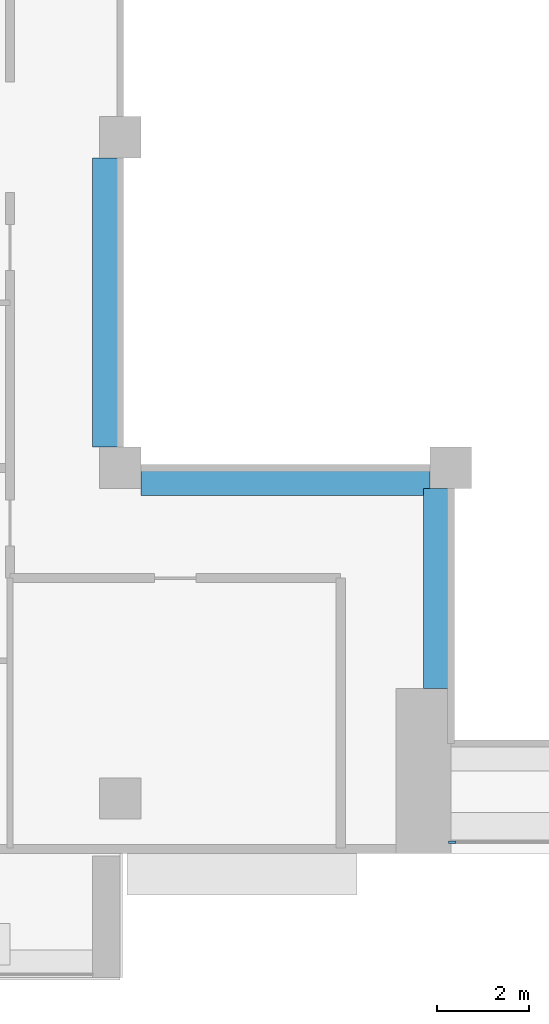
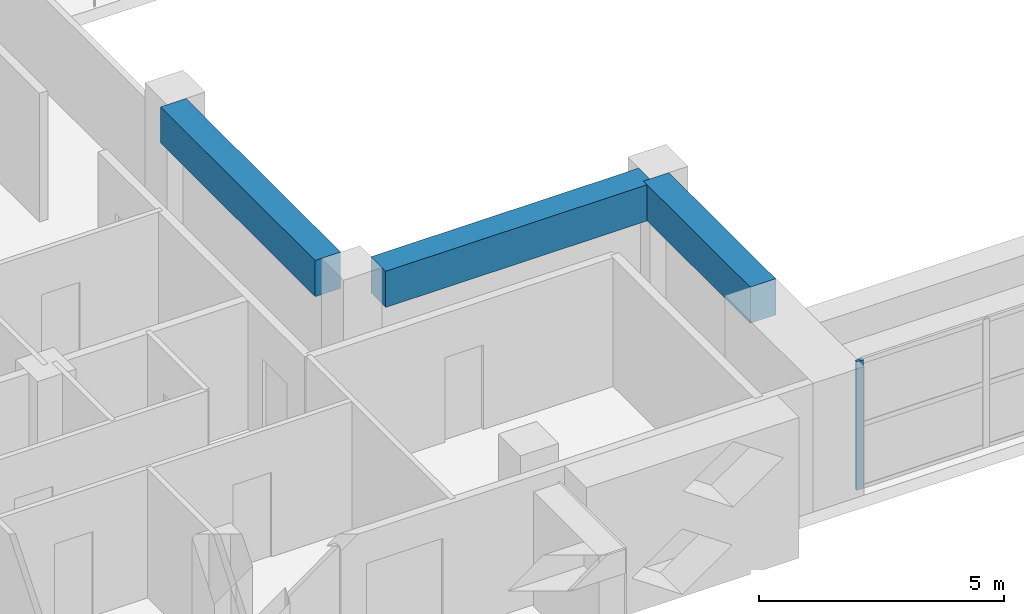
# One storey, part 2 of 20: 3 beams, 1 member, 1 element without a shape of its own.
"""IFC4 building model written with IfcOpenShell, lengths in metres."""

from ifc_helpers import new_model, si_unit, direction, frame, origin, origin_2d, place, context, subcontext, project, spatial, rectangle, extrude, source, transform, mapped, material, layer, layer_set, material_profile, profile_set, type_object, element, aggregate, save


model = new_model("IFC4")

# Units and contexts
model_context = context("Model", 3, precision=1e-05, world=origin(), true_north=direction((0.0, 1.0)))
body_context = subcontext(model_context, "Body", "Model", "MODEL_VIEW")
ifc_project = project(units=[si_unit("LENGTHUNIT", "METRE"), si_unit("AREAUNIT", "SQUARE_METRE"), si_unit("VOLUMEUNIT", "CUBIC_METRE"), si_unit("PLANEANGLEUNIT", "RADIAN"), si_unit("MASSUNIT", "GRAM", prefix="KILO")], contexts=[model_context])

# Site, building, storey
site_placement = place(None, origin())
site = spatial("IfcSite", under=ifc_project, at=site_placement, CompositionType="ELEMENT")
building_placement = place(site_placement, origin())
building = spatial("IfcBuilding", under=site, at=building_placement, Name="Saffron Iwan Residences", CompositionType="ELEMENT")
storey_placement = place(building_placement, frame((0.0, 0.0, 178.0)))
storey = spatial("IfcBuildingStorey", under=building, at=storey_placement, Name="L47", CompositionType="ELEMENT", Elevation=178.0)

# Beams
ifc_material_1 = material(Name="Concrete C50/60", Category="concrete")
ifc_material_profile_1 = material_profile(ifc_material_1, rectangle(XDim=0.60009765625, YDim=0.89990234375, at=origin_2d()), Name="RC 600x900")
ifc_profile_set_1 = profile_set([ifc_material_profile_1], Name="Concrete C50/60")
beam_type = type_object("IfcBeamType", Name="BEAM RC 600x900 C50/60 TOP 3200", PredefinedType="BEAM", material=ifc_profile_set_1)
shared_shape_1 = source(origin(), body_context, "Body", "SweptSolid", [
    extrude(rectangle(XDim=0.60009765625, YDim=0.89990234375, at=origin_2d()), origin(), (0.0, 0.0, 1.0), 4.35009765625),
])
beam_placement = place(storey_placement, frame((42.89990234375, 43.199951171875, 2.75), z_axis=(0.0, 1.0, 0.0), x_axis=(-1.0, 0.0, 0.0)))
element("IfcBeam", 1, at=beam_placement, inside=storey, type_object=beam_type, Name="Atrium edge beam", PredefinedType="BEAM", context=body_context, shape_type="MappedRepresentation", body=[
    mapped(shared_shape_1, transform((0.0, 0.0, 0.0))),
])
shared_shape_2 = source(origin(), body_context, "Body", "SweptSolid", [
    extrude(rectangle(XDim=0.60009765625, YDim=0.89990234375, at=origin_2d()), origin(), (0.0, 0.0, 1.0), 6.300048828125),
])
for number, where, z_axis, x_axis, name in (
    (2, (42.75, 47.699951171875, 2.75), (-1.0, 0.0, 0.0), (0.0, -1.0, 0.0), "Atrium edge beam"),
    (3, (35.699951171875, 48.449951171875, 2.75), (0.0, 1.0, 0.0), (-1.0, 0.0, 0.0), "Atrium edge beam"),
):
    element("IfcBeam", number, at=place(storey_placement, frame(where, z_axis=z_axis, x_axis=x_axis)), inside=storey, type_object=beam_type, Name=name, PredefinedType="BEAM", context=body_context, shape_type="MappedRepresentation", body=[
        mapped(shared_shape_2, transform((0.0, 0.0, 0.0))),
    ])

# Curtain wall, member
ifc_material_2 = material(Name="Clear glass, laminated double glazed", Category="glass")
ifc_layer = layer(ifc_material_2, 0.199951171875)
ifc_layer_set = layer_set([ifc_layer], Name="Clear glass, laminated double glazed")
curtain_wall_type = type_object("IfcCurtainWallType", Name="CW-B IWAN PORTAL", PredefinedType="NOTDEFINED", material=ifc_layer_set)
curtain_wall_placement = place(storey_placement, origin())
curtain_wall = element("IfcCurtainWall", 4, at=curtain_wall_placement, inside=storey, type_object=curtain_wall_type, Name="Iwan portal glazing L47.1", PredefinedType="NOTDEFINED")
ifc_material_3 = material(Name="Aluminium 6063-T6", Category="aluminium")
ifc_material_profile_2 = material_profile(ifc_material_3, rectangle(XDim=0.06005859375, YDim=0.159912109375, at=origin_2d()), Name="CW-B MULLION 60 x 160")
ifc_profile_set_2 = profile_set([ifc_material_profile_2], Name="Aluminium 6063-T6")
member_type = type_object("IfcMemberType", Name="CW-B MULLION 60 x 160", PredefinedType="MULLION", material=ifc_profile_set_2)
shared_shape_3 = source(origin(), body_context, "Body", "SweptSolid", [
    extrude(rectangle(XDim=0.06005859375, YDim=0.159912109375, at=origin_2d()), origin(), (0.0, 0.0, 1.0), 3.199951171875),
])
member_placement = place(storey_placement, frame((43.22998046875, 39.85009765625, 0.0), z_axis=(0.0, 0.0, 1.0), x_axis=(0.0, 1.0, 0.0)))
member = element("IfcMember", 5, at=member_placement, type_object=member_type, Name="CW-B mullion 1", PredefinedType="MULLION", context=body_context, shape_type="MappedRepresentation", body=[
    mapped(shared_shape_3, transform((0.0, 0.0, 0.0))),
])
aggregate(curtain_wall, [member])

save(model, "model.ifc")
